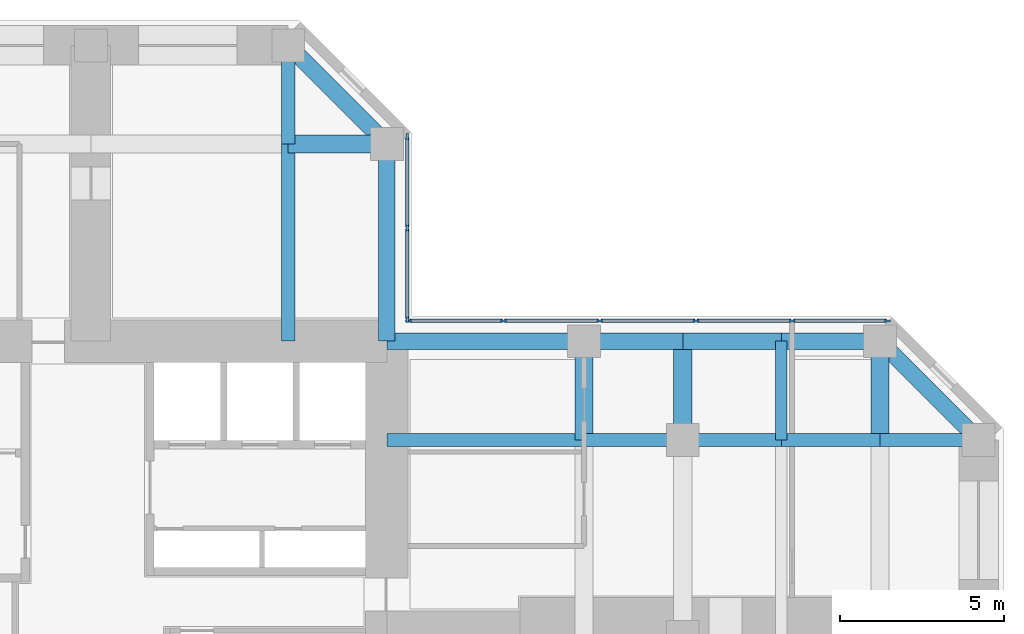
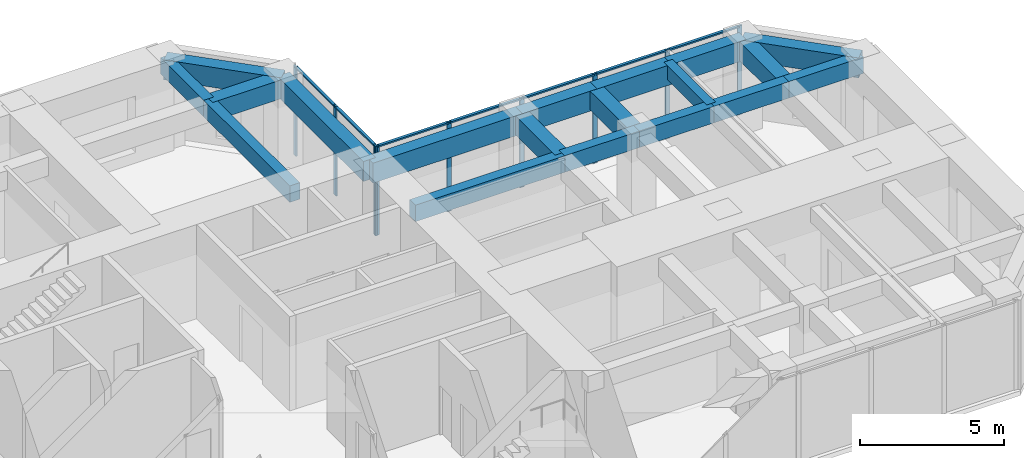
# One storey, part 6 of 13: 19 beams, 16 members, 2 elements without a shape of their own.
"""IFC4 building model written with IfcOpenShell, lengths in metres."""

from ifc_helpers import new_model, si_unit, direction, frame, origin, origin_2d, place, context, subcontext, project, spatial, rectangle, extrude, material, material_profile, profile_set, type_object, element, aggregate, save


model = new_model("IFC4")

# Units and contexts
model_context = context("Model", 3, precision=1e-05, world=origin(), true_north=direction((0.0, 1.0)))
body_context = subcontext(model_context, "Body", "Model", "MODEL_VIEW")
ifc_project = project(units=[si_unit("LENGTHUNIT", "METRE"), si_unit("AREAUNIT", "SQUARE_METRE"), si_unit("VOLUMEUNIT", "CUBIC_METRE"), si_unit("PLANEANGLEUNIT", "RADIAN"), si_unit("MASSUNIT", "GRAM", prefix="KILO")], contexts=[model_context])

# Site, building, storey
site_placement = place(None, origin())
site = spatial("IfcSite", under=ifc_project, at=site_placement, CompositionType="ELEMENT")
building_placement = place(site_placement, origin())
building = spatial("IfcBuilding", under=site, at=building_placement, Name="Torre Cruceta", CompositionType="ELEMENT")
storey_placement = place(building_placement, frame((0.0, 0.0, 152.5)))
storey = spatial("IfcBuildingStorey", under=building, at=storey_placement, Name="L37", CompositionType="ELEMENT", Elevation=152.5)

# Beams
ifc_material_1 = material(Name="Concrete G60 (fck 60 MPa)", Category="concrete")
ifc_material_profile_1 = material_profile(ifc_material_1, rectangle(XDim=0.39990234375, YDim=0.699951171875, at=origin_2d()), Name="RC 400X700")
ifc_profile_set_1 = profile_set([ifc_material_profile_1], Name="Concrete G60 (fck 60 MPa)")
beam_type_1 = type_object("IfcBeamType", Name="COLUMN LINE BEAM RC 400X700", PredefinedType="BEAM", material=ifc_profile_set_1)
beam_1_placement = place(storey_placement, frame((6.0, 9.0, 3.449951171875), z_axis=(0.0, 1.0, 0.0), x_axis=(-1.0, 0.0, 0.0)))
element("IfcBeam", 1, at=beam_1_placement, inside=storey, type_object=beam_type_1, Name="LB5 L37 N col- 1", PredefinedType="BEAM", context=body_context, shape_type="SweptSolid", body=[
    extrude(rectangle(XDim=0.39990234375, YDim=0.699951171875, at=origin_2d()), origin(), (0.0, 0.0, 1.0), 6.0),
])
beam_2_placement = place(storey_placement, frame((6.0, 15.0, 3.449951171875), z_axis=(0.0, 1.0, 0.0), x_axis=(-1.0, 0.0, 0.0)))
element("IfcBeam", 2, at=beam_2_placement, inside=storey, type_object=beam_type_1, Name="LB5 L37 N col- 2", PredefinedType="BEAM", context=body_context, shape_type="SweptSolid", body=[
    extrude(rectangle(XDim=0.39990234375, YDim=0.699951171875, at=origin_2d()), origin(), (0.0, 0.0, 1.0), 3.0),
])
beam_3_placement = place(storey_placement, frame((9.0, 6.0, 3.449951171875), z_axis=(1.0, 0.0, 0.0), x_axis=(0.0, 1.0, 0.0)))
element("IfcBeam", 3, at=beam_3_placement, inside=storey, type_object=beam_type_1, Name="LB5 L37 E col+ 1", PredefinedType="BEAM", context=body_context, shape_type="SweptSolid", body=[
    extrude(rectangle(XDim=0.39990234375, YDim=0.699951171875, at=origin_2d()), origin(), (0.0, 0.0, 1.0), 6.0),
])
for number, where, z_axis, x_axis, name in (
    (4, (15.0, 6.0, 3.449951171875), (1.0, 0.0, 0.0), (0.0, 1.0, 0.0), "LB5 L37 E col+ 2"),
    (5, (18.0, 6.0, 3.449951171875), (1.0, 0.0, 0.0), (0.0, 1.0, 0.0), "LB5 L37 E col+ 3"),
    (6, (21.0, 6.0, 3.449951171875), (1.0, 0.0, 0.0), (0.0, 1.0, 0.0), "LB5 L37 E col+ 4"),
    (7, (24.0, 6.0, 3.449951171875), (1.0, 0.0, 0.0), (0.0, 1.0, 0.0), "LB5 L37 E col+ 5"),
):
    element("IfcBeam", number, at=place(storey_placement, frame(where, z_axis=z_axis, x_axis=x_axis)), inside=storey, type_object=beam_type_1, Name=name, PredefinedType="BEAM", context=body_context, shape_type="SweptSolid", body=[
        extrude(rectangle(XDim=0.39990234375, YDim=0.699951171875, at=origin_2d()), origin(), (0.0, 0.0, 1.0), 3.0),
    ])
ifc_material_2 = material(Name="Concrete G60 (fck 60 MPa)", Category="concrete")
ifc_material_profile_2 = material_profile(ifc_material_2, rectangle(XDim=0.550048828125, YDim=0.800048828125, at=origin_2d()), Name="RC 550X800")
ifc_profile_set_2 = profile_set([ifc_material_profile_2], Name="Concrete G60 (fck 60 MPa)")
beam_type_2 = type_object("IfcBeamType", Name="CROSS BEAM RC 550X800", PredefinedType="BEAM", material=ifc_profile_set_2)
for number, where, z_axis, x_axis, name in (
    (8, (9.0, 15.0, 3.39990234375), (-1.0, 0.0, 0.0), (0.0, -1.0, 0.0), "GB5 L37 N cross15 1"),
    (9, (15.0, 6.0, 3.39990234375), (0.0, 1.0, 0.0), (-1.0, 0.0, 0.0), "GB5 L37 E cross15 4"),
    (10, (18.0, 6.0, 3.39990234375), (0.0, 1.0, 0.0), (-1.0, 0.0, 0.0), "GB5 L37 E cross18 4"),
    (11, (24.0, 6.0, 3.39990234375), (0.0, 1.0, 0.0), (-1.0, 0.0, 0.0), "GB5 L37 E cross24 4"),
):
    element("IfcBeam", number, at=place(storey_placement, frame(where, z_axis=z_axis, x_axis=x_axis)), inside=storey, type_object=beam_type_2, Name=name, PredefinedType="BEAM", context=body_context, shape_type="SweptSolid", body=[
        extrude(rectangle(XDim=0.550048828125, YDim=0.800048828125, at=origin_2d()), origin(), (0.0, 0.0, 1.0), 3.0),
    ])

# Curtain wall, members
ifc_material_3 = material(Name="Aluminium unitised curtain wall", Category="aluminium")
curtain_wall_type = type_object("IfcCurtainWallType", Name="CURTAIN WALL CW-B OFFICE MID RISE", PredefinedType="USERDEFINED", material=ifc_material_3)
curtain_wall_1_placement = place(storey_placement, origin())
curtain_wall_1 = element("IfcCurtainWall", 12, at=curtain_wall_1_placement, inside=storey, type_object=curtain_wall_type, Name="CW-B L37 E side 04", ObjectType="UNITISED", PredefinedType="USERDEFINED")
ifc_material_4 = material(Name="Aluminium mullion", Category="aluminium")
ifc_material_profile_3 = material_profile(ifc_material_4, rectangle(XDim=0.06494140625, YDim=0.179931640625, at=origin_2d()), Name="AL 65X180")
ifc_profile_set_3 = profile_set([ifc_material_profile_3], Name="Aluminium mullion")
member_type_1 = type_object("IfcMemberType", Name="CW-B MULLION 65X180", PredefinedType="MULLION", material=ifc_profile_set_3)
member_1_placement = place(storey_placement, frame((24.224365234375, 9.6201171875, 0.0), z_axis=(0.0, 0.0, 1.0), x_axis=(0.0, -1.0, 0.0)))
member_1 = element("IfcMember", 13, at=member_1_placement, type_object=member_type_1, Name="CW-B mullion 1", PredefinedType="MULLION", context=body_context, shape_type="SweptSolid", body=[
    extrude(rectangle(XDim=0.06494140625, YDim=0.179931640625, at=origin_2d()), origin(), (0.0, 0.0, 1.0), 3.800048828125),
])
member_2_placement = place(storey_placement, frame((21.329345703125, 9.6201171875, 0.0), z_axis=(0.0, 0.0, 1.0), x_axis=(0.0, -1.0, 0.0)))
member_2 = element("IfcMember", 14, at=member_2_placement, type_object=member_type_1, Name="CW-B mullion 2", PredefinedType="MULLION", context=body_context, shape_type="SweptSolid", body=[
    extrude(rectangle(XDim=0.06494140625, YDim=0.179931640625, at=origin_2d()), origin(), (0.0, 0.0, 1.0), 3.800048828125),
])
member_3_placement = place(storey_placement, frame((18.402099609375, 9.6201171875, 0.0), z_axis=(0.0, 0.0, 1.0), x_axis=(0.0, -1.0, 0.0)))
member_3 = element("IfcMember", 15, at=member_3_placement, type_object=member_type_1, Name="CW-B mullion 3", PredefinedType="MULLION", context=body_context, shape_type="SweptSolid", body=[
    extrude(rectangle(XDim=0.06494140625, YDim=0.179931640625, at=origin_2d()), origin(), (0.0, 0.0, 1.0), 3.800048828125),
])
member_4_placement = place(storey_placement, frame((15.474609375, 9.6201171875, 0.0), z_axis=(0.0, 0.0, 1.0), x_axis=(0.0, -1.0, 0.0)))
member_4 = element("IfcMember", 16, at=member_4_placement, type_object=member_type_1, Name="CW-B mullion 4", PredefinedType="MULLION", context=body_context, shape_type="SweptSolid", body=[
    extrude(rectangle(XDim=0.06494140625, YDim=0.179931640625, at=origin_2d()), origin(), (0.0, 0.0, 1.0), 3.800048828125),
])
member_5_placement = place(storey_placement, frame((12.54736328125, 9.6201171875, 0.0), z_axis=(0.0, 0.0, 1.0), x_axis=(0.0, -1.0, 0.0)))
member_5 = element("IfcMember", 17, at=member_5_placement, type_object=member_type_1, Name="CW-B mullion 5", PredefinedType="MULLION", context=body_context, shape_type="SweptSolid", body=[
    extrude(rectangle(XDim=0.06494140625, YDim=0.179931640625, at=origin_2d()), origin(), (0.0, 0.0, 1.0), 3.800048828125),
])
member_6_placement = place(storey_placement, frame((9.652587890625, 9.6201171875, 0.0), z_axis=(0.0, 0.0, 1.0), x_axis=(0.0, -1.0, 0.0)))
member_6 = element("IfcMember", 18, at=member_6_placement, type_object=member_type_1, Name="CW-B mullion 6", PredefinedType="MULLION", context=body_context, shape_type="SweptSolid", body=[
    extrude(rectangle(XDim=0.06494140625, YDim=0.179931640625, at=origin_2d()), origin(), (0.0, 0.0, 1.0), 3.800048828125),
])

curtain_wall_2_placement = place(storey_placement, origin())
curtain_wall_2 = element("IfcCurtainWall", 19, at=curtain_wall_2_placement, inside=storey, type_object=curtain_wall_type, Name="CW-B L37 N side 05", ObjectType="UNITISED", PredefinedType="USERDEFINED")
member_7_placement = place(storey_placement, frame((9.6201171875, 9.652587890625, 0.0), z_axis=(0.0, 0.0, 1.0), x_axis=(-1.0, 0.0, 0.0)))
member_7 = element("IfcMember", 20, at=member_7_placement, type_object=member_type_1, Name="CW-B mullion 1", PredefinedType="MULLION", context=body_context, shape_type="SweptSolid", body=[
    extrude(rectangle(XDim=0.06494140625, YDim=0.179931640625, at=origin_2d()), origin(), (0.0, 0.0, 1.0), 3.800048828125),
])
member_8_placement = place(storey_placement, frame((9.6201171875, 12.4384765625, 0.0), z_axis=(0.0, 0.0, 1.0), x_axis=(-1.0, 0.0, 0.0)))
member_8 = element("IfcMember", 21, at=member_8_placement, type_object=member_type_1, Name="CW-B mullion 2", PredefinedType="MULLION", context=body_context, shape_type="SweptSolid", body=[
    extrude(rectangle(XDim=0.06494140625, YDim=0.179931640625, at=origin_2d()), origin(), (0.0, 0.0, 1.0), 3.800048828125),
])
member_9_placement = place(storey_placement, frame((9.6201171875, 15.224365234375, 0.0), z_axis=(0.0, 0.0, 1.0), x_axis=(-1.0, 0.0, 0.0)))
member_9 = element("IfcMember", 22, at=member_9_placement, type_object=member_type_1, Name="CW-B mullion 3", PredefinedType="MULLION", context=body_context, shape_type="SweptSolid", body=[
    extrude(rectangle(XDim=0.06494140625, YDim=0.179931640625, at=origin_2d()), origin(), (0.0, 0.0, 1.0), 3.800048828125),
])

# Member
ifc_material_5 = material(Name="Aluminium transom", Category="aluminium")
ifc_material_profile_4 = material_profile(ifc_material_5, rectangle(XDim=0.110107421875, YDim=0.06494140625, at=origin_2d()), Name="AL 110X65")
ifc_profile_set_4 = profile_set([ifc_material_profile_4], Name="Aluminium transom")
member_type_2 = type_object("IfcMemberType", Name="CW-B TRANSOM 65X110", PredefinedType="USERDEFINED", material=ifc_profile_set_4)
member_10_placement = place(storey_placement, frame((24.19189453125, 9.6201171875, 3.767578125), z_axis=(-1.0, 0.0, 0.0), x_axis=(0.0, -1.0, 0.0)))
member_10 = element("IfcMember", 23, at=member_10_placement, type_object=member_type_2, Name="CW-B transom 1", ObjectType="TRANSOM", PredefinedType="USERDEFINED", context=body_context, shape_type="SweptSolid", body=[
    extrude(rectangle(XDim=0.110107421875, YDim=0.06494140625, at=origin_2d()), origin(), (0.0, 0.0, 1.0), 2.829833984375),
])

member_11_placement = place(storey_placement, frame((21.296875, 9.6201171875, 3.767578125), z_axis=(-1.0, 0.0, 0.0), x_axis=(0.0, -1.0, 0.0)))
member_11 = element("IfcMember", 24, at=member_11_placement, type_object=member_type_2, Name="CW-B transom 2", ObjectType="TRANSOM", PredefinedType="USERDEFINED", context=body_context, shape_type="SweptSolid", body=[
    extrude(rectangle(XDim=0.110107421875, YDim=0.06494140625, at=origin_2d()), origin(), (0.0, 0.0, 1.0), 2.8623046875),
])

member_12_placement = place(storey_placement, frame((18.36962890625, 9.6201171875, 3.767578125), z_axis=(-1.0, 0.0, 0.0), x_axis=(0.0, -1.0, 0.0)))
member_12 = element("IfcMember", 25, at=member_12_placement, type_object=member_type_2, Name="CW-B transom 3", ObjectType="TRANSOM", PredefinedType="USERDEFINED", context=body_context, shape_type="SweptSolid", body=[
    extrude(rectangle(XDim=0.110107421875, YDim=0.06494140625, at=origin_2d()), origin(), (0.0, 0.0, 1.0), 2.8623046875),
])

member_13_placement = place(storey_placement, frame((15.442138671875, 9.6201171875, 3.767578125), z_axis=(-1.0, 0.0, 0.0), x_axis=(0.0, -1.0, 0.0)))
member_13 = element("IfcMember", 26, at=member_13_placement, type_object=member_type_2, Name="CW-B transom 4", ObjectType="TRANSOM", PredefinedType="USERDEFINED", context=body_context, shape_type="SweptSolid", body=[
    extrude(rectangle(XDim=0.110107421875, YDim=0.06494140625, at=origin_2d()), origin(), (0.0, 0.0, 1.0), 2.8623046875),
])

member_14_placement = place(storey_placement, frame((12.514892578125, 9.6201171875, 3.767578125), z_axis=(-1.0, 0.0, 0.0), x_axis=(0.0, -1.0, 0.0)))
member_14 = element("IfcMember", 27, at=member_14_placement, type_object=member_type_2, Name="CW-B transom 5", ObjectType="TRANSOM", PredefinedType="USERDEFINED", context=body_context, shape_type="SweptSolid", body=[
    extrude(rectangle(XDim=0.110107421875, YDim=0.06494140625, at=origin_2d()), origin(), (0.0, 0.0, 1.0), 2.829833984375),
])

aggregate(curtain_wall_1, [member_1, member_2, member_3, member_4, member_5, member_6, member_10, member_11, member_12, member_13, member_14])

member_15_placement = place(storey_placement, frame((9.6201171875, 9.68505859375, 3.767578125), z_axis=(0.0, 1.0, 0.0), x_axis=(-1.0, 0.0, 0.0)))
member_15 = element("IfcMember", 28, at=member_15_placement, type_object=member_type_2, Name="CW-B transom 1", ObjectType="TRANSOM", PredefinedType="USERDEFINED", context=body_context, shape_type="SweptSolid", body=[
    extrude(rectangle(XDim=0.110107421875, YDim=0.06494140625, at=origin_2d()), origin(), (0.0, 0.0, 1.0), 2.720947265625),
])

member_16_placement = place(storey_placement, frame((9.6201171875, 12.470947265625, 3.767578125), z_axis=(0.0, 1.0, 0.0), x_axis=(-1.0, 0.0, 0.0)))
member_16 = element("IfcMember", 29, at=member_16_placement, type_object=member_type_2, Name="CW-B transom 2", ObjectType="TRANSOM", PredefinedType="USERDEFINED", context=body_context, shape_type="SweptSolid", body=[
    extrude(rectangle(XDim=0.110107421875, YDim=0.06494140625, at=origin_2d()), origin(), (0.0, 0.0, 1.0), 2.720947265625),
])

aggregate(curtain_wall_2, [member_7, member_8, member_9, member_15, member_16])

# Beams
ifc_material_6 = material(Name="Concrete G60 (fck 60 MPa)", Category="concrete")
ifc_material_profile_5 = material_profile(ifc_material_6, rectangle(XDim=0.35009765625, YDim=0.60009765625, at=origin_2d()), Name="RC 350X600")
ifc_profile_set_5 = profile_set([ifc_material_profile_5], Name="Concrete G60 (fck 60 MPa)")
beam_type_3 = type_object("IfcBeamType", Name="SECONDARY BEAM RC 350X600", PredefinedType="JOIST", material=ifc_profile_set_5)
beam_4_placement = place(storey_placement, frame((21.0, 6.0, 3.5), z_axis=(0.0, 1.0, 0.0), x_axis=(-1.0, 0.0, 0.0)))
element("IfcBeam", 30, at=beam_4_placement, inside=storey, type_object=beam_type_3, Name="JB5 L37 E sec21 4", PredefinedType="JOIST", context=body_context, shape_type="SweptSolid", body=[
    extrude(rectangle(XDim=0.35009765625, YDim=0.60009765625, at=origin_2d()), origin(), (0.0, 0.0, 1.0), 3.0),
])
ifc_material_7 = material(Name="Concrete G60 (fck 60 MPa)", Category="concrete")
ifc_material_profile_6 = material_profile(ifc_material_7, rectangle(XDim=0.5, YDim=0.85009765625, at=origin_2d()), Name="RC 500X850")
ifc_profile_set_6 = profile_set([ifc_material_profile_6], Name="Concrete G60 (fck 60 MPa)")
beam_type_4 = type_object("IfcBeamType", Name="SPANDREL BEAM RC 500X850", PredefinedType="SPANDREL", material=ifc_profile_set_6)
beam_5_placement = place(storey_placement, frame((9.0, 9.0, 3.375), z_axis=(0.0, 1.0, 0.0), x_axis=(-1.0, 0.0, 0.0)))
element("IfcBeam", 31, at=beam_5_placement, inside=storey, type_object=beam_type_4, Name="SB5 L37 N side- 1", PredefinedType="SPANDREL", context=body_context, shape_type="SweptSolid", body=[
    extrude(rectangle(XDim=0.5, YDim=0.85009765625, at=origin_2d()), origin(), (0.0, 0.0, 1.0), 6.0),
])
beam_6_placement = place(storey_placement, frame((9.0, 15.0, 3.375), z_axis=(-0.707106781187, 0.707106781187, 0.0), x_axis=(-0.707106781187, -0.707106781187, 0.0)))
element("IfcBeam", 32, at=beam_6_placement, inside=storey, type_object=beam_type_4, Name="SB5 L37 N side- 2", PredefinedType="SPANDREL", context=body_context, shape_type="SweptSolid", body=[
    extrude(rectangle(XDim=0.5, YDim=0.85009765625, at=origin_2d()), origin(), (0.0, 0.0, 1.0), 4.24267578125),
])
beam_7_placement = place(storey_placement, frame((9.0, 9.0, 3.375), z_axis=(1.0, 0.0, 0.0), x_axis=(0.0, 1.0, 0.0)))
element("IfcBeam", 33, at=beam_7_placement, inside=storey, type_object=beam_type_4, Name="SB5 L37 E side+ 1", PredefinedType="SPANDREL", context=body_context, shape_type="SweptSolid", body=[
    extrude(rectangle(XDim=0.5, YDim=0.85009765625, at=origin_2d()), origin(), (0.0, 0.0, 1.0), 6.0),
])
for number, where, z_axis, x_axis, name in (
    (34, (15.0, 9.0, 3.375), (1.0, 0.0, 0.0), (0.0, 1.0, 0.0), "SB5 L37 E side+ 2"),
    (35, (18.0, 9.0, 3.375), (1.0, 0.0, 0.0), (0.0, 1.0, 0.0), "SB5 L37 E side+ 3"),
    (36, (21.0, 9.0, 3.375), (1.0, 0.0, 0.0), (0.0, 1.0, 0.0), "SB5 L37 E side+ 4"),
):
    element("IfcBeam", number, at=place(storey_placement, frame(where, z_axis=z_axis, x_axis=x_axis)), inside=storey, type_object=beam_type_4, Name=name, PredefinedType="SPANDREL", context=body_context, shape_type="SweptSolid", body=[
        extrude(rectangle(XDim=0.5, YDim=0.85009765625, at=origin_2d()), origin(), (0.0, 0.0, 1.0), 3.0),
    ])
beam_8_placement = place(storey_placement, frame((24.0, 9.0, 3.375), z_axis=(0.707106781187, -0.707106781187, 0.0), x_axis=(0.707106781187, 0.707106781187, 0.0)))
element("IfcBeam", 37, at=beam_8_placement, inside=storey, type_object=beam_type_4, Name="SB5 L37 E side+ 5", PredefinedType="SPANDREL", context=body_context, shape_type="SweptSolid", body=[
    extrude(rectangle(XDim=0.5, YDim=0.85009765625, at=origin_2d()), origin(), (0.0, 0.0, 1.0), 4.24267578125),
])

save(model, "model.ifc")
